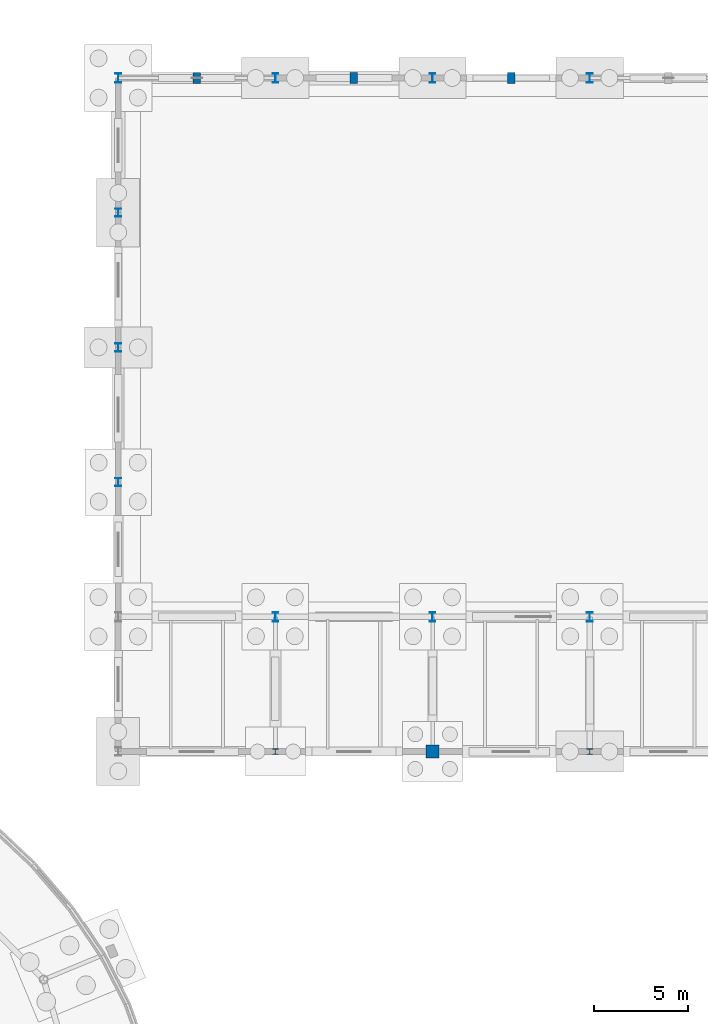
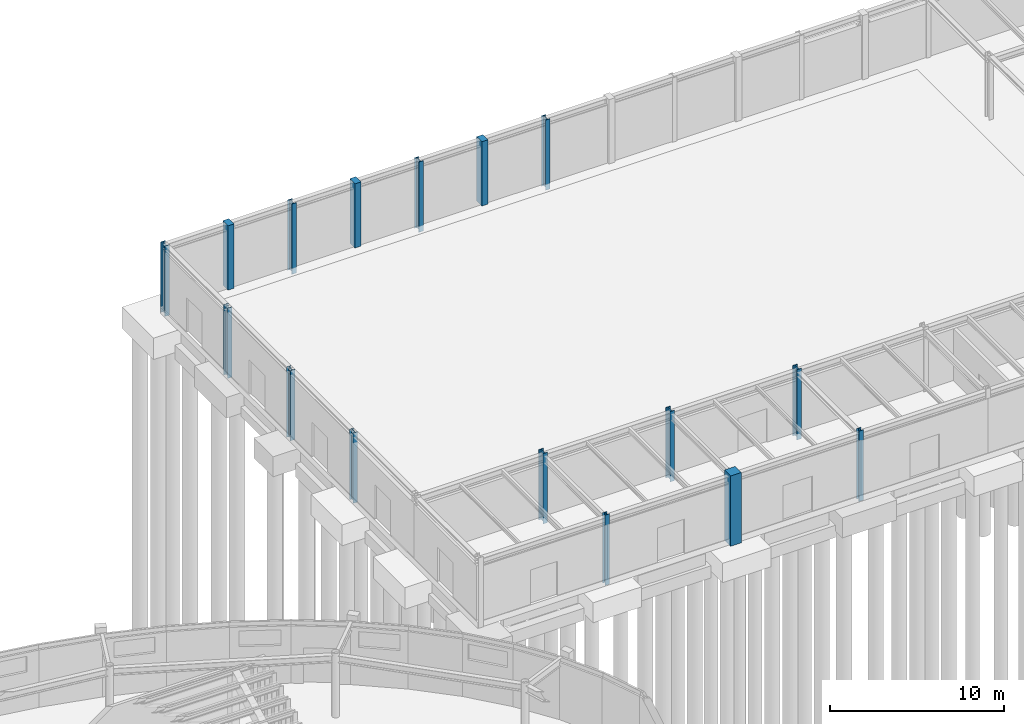
# One storey, part 24 of 93: 16 columns.
"""IFC4 building model written with IfcOpenShell, lengths in metres."""

from ifc_helpers import new_model, si_unit, derived_unit, direction, frame, origin, origin_2d, place, context, subcontext, project, spatial, rectangle, i_section, extrude, material, material_profile, profile_set, type_object, element, save


model = new_model("IFC4")

# Units and contexts
model_context = context("Model", 3, precision=1e-05, world=origin(), true_north=direction((0.0, 1.0)))
body_context = subcontext(model_context, "Body", "Model", "MODEL_VIEW")
ifc_project = project(units=[si_unit("LENGTHUNIT", "METRE"), si_unit("AREAUNIT", "SQUARE_METRE"), si_unit("VOLUMEUNIT", "CUBIC_METRE"), si_unit("PLANEANGLEUNIT", "RADIAN"), si_unit("MASSUNIT", "GRAM", prefix="KILO"), derived_unit("THERMALTRANSMITTANCEUNIT", [(si_unit("MASSUNIT", "GRAM", prefix="KILO"), 1), (si_unit("TIMEUNIT", "SECOND"), -3), (si_unit("THERMODYNAMICTEMPERATUREUNIT", "KELVIN"), -1)])], contexts=[model_context])

# Site, building, storey
site_placement = place(None, origin())
site = spatial("IfcSite", under=ifc_project, at=site_placement, CompositionType="ELEMENT")
building_placement = place(site_placement, origin())
building = spatial("IfcBuilding", under=site, at=building_placement, Name="Kharveza Railside Sports Centre", CompositionType="ELEMENT")
storey_placement = place(building_placement, origin())
storey = spatial("IfcBuildingStorey", under=building, at=storey_placement, Name="L00", CompositionType="ELEMENT", Elevation=0.0)

# Columns
ifc_material_1 = material(Name="Concrete C35/45", Category="concrete")
ifc_material_profile_1 = material_profile(ifc_material_1, rectangle(XDim=0.699951171875, YDim=0.699951171875, at=origin_2d()), Name="RC 700x700")
ifc_profile_set_1 = profile_set([ifc_material_profile_1], Name="Concrete C35/45")
column_type_1 = type_object("IfcColumnType", Name="COL-RC01", PredefinedType="COLUMN", material=ifc_profile_set_1)
column_placement = place(storey_placement, frame((109.199951171875, 72.0, -0.419921875), z_axis=(0.0, 0.0, 1.0), x_axis=(1.0, 0.0, 0.0)))
element("IfcColumn", 1, at=column_placement, inside=storey, type_object=column_type_1, Name="COL-G-C19-X1092-Y720-L00", PredefinedType="COLUMN", context=body_context, shape_type="SweptSolid", body=[
    extrude(rectangle(XDim=0.699951171875, YDim=0.699951171875, at=origin_2d()), origin(), (0.0, 0.0, 1.0), 4.919921875),
])
ifc_material_profile_2 = material_profile(ifc_material_1, rectangle(XDim=0.39990234375, YDim=0.60009765625, at=origin_2d()), Name="RC 400x600")
ifc_profile_set_2 = profile_set([ifc_material_profile_2], Name="Concrete C35/45")
column_type_2 = type_object("IfcColumnType", Name="COL-RC05", PredefinedType="PILASTER", material=ifc_profile_set_2)
for number, where, z_axis, x_axis, name in (
    (2, (96.60009765625, 108.0, 0.0), (0.0, 0.0, 1.0), (1.0, 0.0, 0.0), "COL-PIL-TRK-01"),
    (3, (105.0, 108.0, 0.0), (0.0, 0.0, 1.0), (1.0, 0.0, 0.0), "COL-PIL-TRK-02"),
    (4, (113.39990234375, 108.0, 0.0), (0.0, 0.0, 1.0), (1.0, 0.0, 0.0), "COL-PIL-TRK-03"),
):
    element("IfcColumn", number, at=place(storey_placement, frame(where, z_axis=z_axis, x_axis=x_axis)), inside=storey, type_object=column_type_2, Name=name, PredefinedType="PILASTER", context=body_context, shape_type="SweptSolid", body=[
        extrude(rectangle(XDim=0.39990234375, YDim=0.60009765625, at=origin_2d()), origin(), (0.0, 0.0, 1.0), 4.5),
    ])
ifc_material_2 = material(Name="Steel S355J2", Category="steel")
ifc_material_profile_3 = material_profile(ifc_material_2, i_section(OverallWidth=0.300048828125, OverallDepth=0.5, WebThickness=0.014404296875, FlangeThickness=0.028076171875, FilletRadius=0.027099609375, at=origin_2d()), Name="HEB 500")
ifc_profile_set_3 = profile_set([ifc_material_profile_3], Name="Steel S355J2")
column_type_3 = type_object("IfcColumnType", Name="COL-S03", PredefinedType="COLUMN", material=ifc_profile_set_3)
for number, where, z_axis, x_axis, name in (
    (5, (92.39990234375, 108.0, -0.419921875), (0.0, 0.0, 1.0), (1.0, 0.0, 0.0), "COL-G-C03-X924-Y1080-L00"),
    (6, (100.800048828125, 79.199951171875, -0.419921875), (0.0, 0.0, 1.0), (1.0, 0.0, 0.0), "COL-G-C03-X1008-Y792-L00"),
    (7, (100.800048828125, 108.0, -0.419921875), (0.0, 0.0, 1.0), (1.0, 0.0, 0.0), "COL-G-C03-X1008-Y1080-L00"),
    (8, (109.199951171875, 79.199951171875, -0.419921875), (0.0, 0.0, 1.0), (1.0, 0.0, 0.0), "COL-G-C03-X1092-Y792-L00"),
    (9, (109.199951171875, 108.0, -0.419921875), (0.0, 0.0, 1.0), (1.0, 0.0, 0.0), "COL-G-C03-X1092-Y1080-L00"),
    (10, (117.60009765625, 79.199951171875, -0.419921875), (0.0, 0.0, 1.0), (1.0, 0.0, 0.0), "COL-G-C03-X1176-Y792-L00"),
    (11, (117.60009765625, 108.0, -0.419921875), (0.0, 0.0, 1.0), (1.0, 0.0, 0.0), "COL-G-C03-X1176-Y1080-L00"),
):
    element("IfcColumn", number, at=place(storey_placement, frame(where, z_axis=z_axis, x_axis=x_axis)), inside=storey, type_object=column_type_3, Name=name, PredefinedType="COLUMN", context=body_context, shape_type="SweptSolid", body=[
        extrude(i_section(OverallWidth=0.300048828125, OverallDepth=0.5, WebThickness=0.014404296875, FlangeThickness=0.028076171875, FilletRadius=0.027099609375, at=origin_2d()), origin(), (0.0, 0.0, 1.0), 4.919921875),
    ])
ifc_material_profile_4 = material_profile(ifc_material_2, i_section(OverallWidth=0.300048828125, OverallDepth=0.300048828125, WebThickness=0.010986328125, FlangeThickness=0.01904296875, FilletRadius=0.027099609375, at=origin_2d()), Name="HEB 300")
ifc_profile_set_4 = profile_set([ifc_material_profile_4], Name="Steel S355J2")
column_type_4 = type_object("IfcColumnType", Name="COL-S07", PredefinedType="COLUMN", material=ifc_profile_set_4)
for number, where, z_axis, x_axis, name in (
    (12, (100.800048828125, 72.0, -0.419921875), (0.0, 0.0, 1.0), (1.0, 0.0, 0.0), "COL-G-C07-X1008-Y720-L00"),
    (13, (117.60009765625, 72.0, -0.419921875), (0.0, 0.0, 1.0), (1.0, 0.0, 0.0), "COL-G-C07-X1176-Y720-L00"),
):
    element("IfcColumn", number, at=place(storey_placement, frame(where, z_axis=z_axis, x_axis=x_axis)), inside=storey, type_object=column_type_4, Name=name, PredefinedType="COLUMN", context=body_context, shape_type="SweptSolid", body=[
        extrude(i_section(OverallWidth=0.300048828125, OverallDepth=0.300048828125, WebThickness=0.010986328125, FlangeThickness=0.01904296875, FilletRadius=0.027099609375, at=origin_2d()), origin(), (0.0, 0.0, 1.0), 4.919921875),
    ])
ifc_material_profile_5 = material_profile(ifc_material_2, i_section(OverallWidth=0.300048828125, OverallDepth=0.43994140625, WebThickness=0.011474609375, FlangeThickness=0.02099609375, FilletRadius=0.027099609375, at=origin_2d()), Name="HEA 450")
ifc_profile_set_5 = profile_set([ifc_material_profile_5], Name="Steel S355J2")
column_type_5 = type_object("IfcColumnType", Name="COL-S09", PredefinedType="COLUMN", material=ifc_profile_set_5)
for number, where, z_axis, x_axis, name in (
    (14, (92.39990234375, 86.39990234375, -0.419921875), (0.0, 0.0, 1.0), (1.0, 0.0, 0.0), "COL-G-C09-X924-Y864-L00"),
    (15, (92.39990234375, 93.60009765625, -0.419921875), (0.0, 0.0, 1.0), (1.0, 0.0, 0.0), "COL-G-C09-X924-Y936-L00"),
    (16, (92.39990234375, 100.800048828125, -0.419921875), (0.0, 0.0, 1.0), (1.0, 0.0, 0.0), "COL-G-C09-X924-Y1008-L00"),
):
    element("IfcColumn", number, at=place(storey_placement, frame(where, z_axis=z_axis, x_axis=x_axis)), inside=storey, type_object=column_type_5, Name=name, PredefinedType="COLUMN", context=body_context, shape_type="SweptSolid", body=[
        extrude(i_section(OverallWidth=0.300048828125, OverallDepth=0.43994140625, WebThickness=0.011474609375, FlangeThickness=0.02099609375, FilletRadius=0.027099609375, at=origin_2d()), origin(), (0.0, 0.0, 1.0), 4.919921875),
    ])

save(model, "model.ifc")
